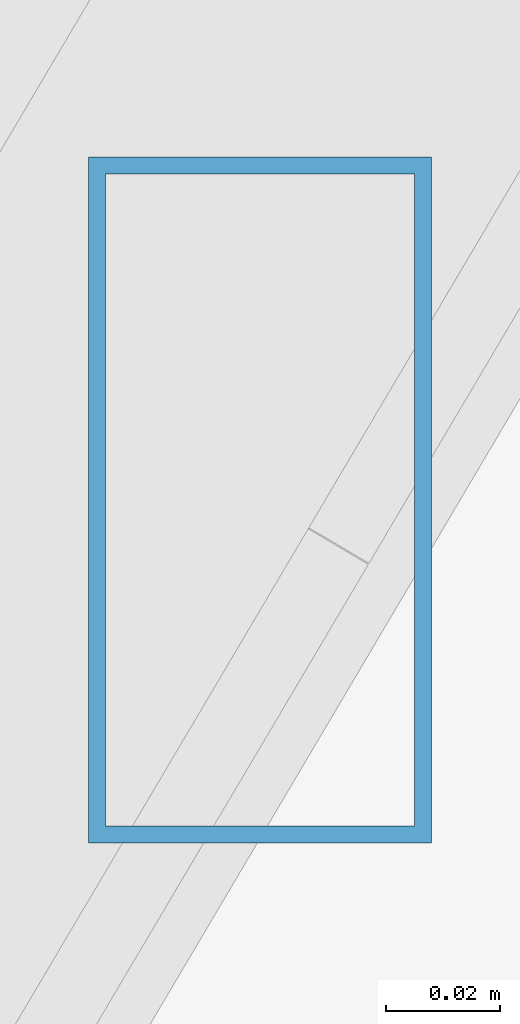
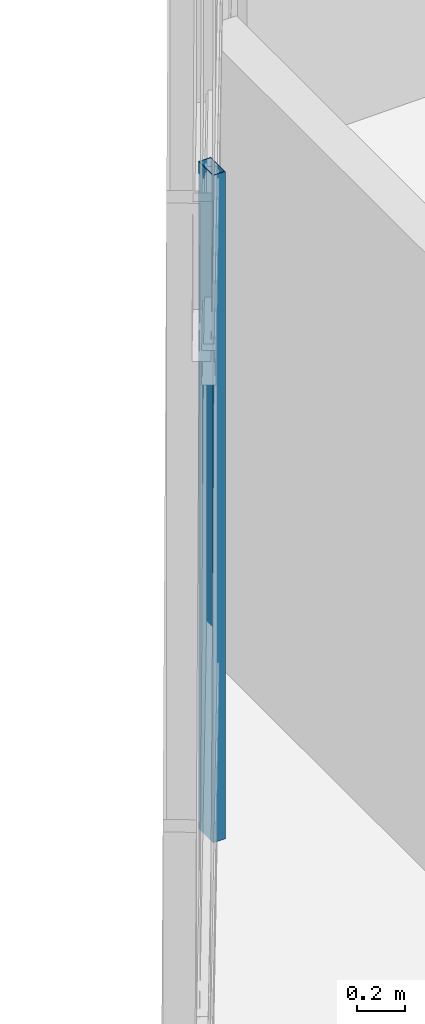
# One storey, part 38 of 50: 1 member, 1 element without a shape of its own.
"""IFC4 building model written with IfcOpenShell, lengths in metres."""

import ifcopenshell
import ifcopenshell.guid

model = None  # the IFC model being written
_history = None  # IfcOwnerHistory: only IFC2X3 demands one
_inside = {}  # id of a spatial element -> (the spatial element, [elements in it])
_under = {}  # id of a project, library or spatial element -> (it, [spatial elements below it])
_declared = {}  # id of a project -> (the project, [libraries it declares])
_typed = {}  # id of a type object -> (the type object, [elements of that type])
_made_of = {}  # id of a material, layer set ... -> (it, [elements and type objects made of it])


def new_model(schema):
    """Start an empty IFC model of exactly this schema.

    Asked for "IFC4X3", IfcOpenShell would pick the latest addendum, in which some entities
    have other attributes; the version numbers below select the first issue.
    IFC2X3 requires an IfcOwnerHistory on every rooted entity: one is made here for all.
    """
    global model, _history
    if schema == "IFC4X3":
        model = ifcopenshell.file(schema_version=(4, 3, 0, 0))
    else:
        model = ifcopenshell.file(schema=schema)
    _inside.clear()
    _under.clear()
    _declared.clear()
    _typed.clear()
    _made_of.clear()
    _history = None
    if model.schema == "IFC2X3":
        org = make("IfcOrganization", Name="unknown")
        user = make(
            "IfcPersonAndOrganization",
            ThePerson=make("IfcPerson", FamilyName="unknown"),
            TheOrganization=org,
        )
        app = make(
            "IfcApplication",
            ApplicationDeveloper=org,
            Version="unknown",
            ApplicationFullName="unknown",
            ApplicationIdentifier="unknown",
        )
        _history = make(
            "IfcOwnerHistory",
            OwningUser=user,
            OwningApplication=app,
            ChangeAction="ADDED",
            CreationDate=0,
        )
    return model


def make(cls, **values):
    """One entity of the class cls with the attributes given. An attribute that is None is left unset."""
    return model.create_entity(
        cls, **{name: value for name, value in values.items() if value is not None}
    )


def rooted(cls, **values):
    """An entity with a GlobalId (a new one), such as an element, a storey or a relation."""
    return make(cls, GlobalId=ifcopenshell.guid.new(), OwnerHistory=_history, **values)


def si_unit(unit_type, name, prefix=None):
    """IfcSIUnit, for example si_unit("LENGTHUNIT", "METRE", prefix="MILLI")."""
    return make("IfcSIUnit", UnitType=unit_type, Prefix=prefix, Name=name)


def assignment(units):
    """IfcUnitAssignment: the units of a project."""
    return None if units is None else make("IfcUnitAssignment", Units=units)


def point(xyz):
    """IfcCartesianPoint."""
    return None if xyz is None else make("IfcCartesianPoint", Coordinates=xyz)


def direction(xyz):
    """IfcDirection."""
    return None if xyz is None else make("IfcDirection", DirectionRatios=xyz)


def frame(location, z_axis=None, x_axis=None):
    """IfcAxis2Placement3D, a coordinate frame: its origin and axes. An axis left out is left unset."""
    return make(
        "IfcAxis2Placement3D",
        Location=point(location),
        Axis=direction(z_axis),
        RefDirection=direction(x_axis),
    )


def frame_2d(location, x_axis=None):
    """IfcAxis2Placement2D, a coordinate frame in the plane: its origin and x axis."""
    return make(
        "IfcAxis2Placement2D", Location=point(location), RefDirection=direction(x_axis)
    )


def origin():
    """The frame at (0, 0, 0) with its axes left unset."""
    return frame((0.0, 0.0, 0.0))


def origin_2d():
    """The frame at (0, 0) in the plane with its x axis left unset."""
    return frame_2d((0.0, 0.0))


def place(relative_to, where):
    """IfcLocalPlacement: puts the frame where relative to a parent placement (None: the world)."""
    return make(
        "IfcLocalPlacement", PlacementRelTo=relative_to, RelativePlacement=where
    )


def context(
    kind, dimensions, precision=None, world=None, true_north=None, identifier=None
):
    """IfcGeometricRepresentationContext, for example the 3D "Model" context."""
    return make(
        "IfcGeometricRepresentationContext",
        ContextIdentifier=identifier,
        ContextType=kind,
        CoordinateSpaceDimension=dimensions,
        Precision=precision,
        WorldCoordinateSystem=world,
        TrueNorth=true_north,
    )


def subcontext(parent, identifier, kind, view, scale=None):
    """IfcGeometricRepresentationSubContext, for example "Body" below "Model"."""
    return make(
        "IfcGeometricRepresentationSubContext",
        ContextIdentifier=identifier,
        ContextType=kind,
        ParentContext=parent,
        TargetScale=scale,
        TargetView=view,
    )


def project(units=None, contexts=None):
    """IfcProject with its units and contexts."""
    return rooted(
        "IfcProject",
        Name="project",
        RepresentationContexts=contexts,
        UnitsInContext=assignment(units),
    )


def spatial(cls, under=None, at=None, **own):
    """A site, building, storey or space (cls), placed at a placement, below another one or the project."""
    s = rooted(cls, ObjectPlacement=at, **own)
    if under is not None:
        _under.setdefault(under.id(), (under, []))[1].append(s)
    return s


def profile(cls, at=None, kind="AREA", **sizes):
    """A parametric profile (cls). Its sizes go by their IFC names, for example OverallWidth=200.0."""
    return make(cls, ProfileType=kind, Position=at, **sizes)


def hollow_rectangle(**sizes):
    """IfcRectangleHollowProfileDef."""
    return profile("IfcRectangleHollowProfileDef", **sizes)


def extrude(swept, where, along, depth):
    """IfcExtrudedAreaSolid: the profile swept, set in the frame where, extruded along a direction by depth."""
    return make(
        "IfcExtrudedAreaSolid",
        SweptArea=swept,
        Position=where,
        ExtrudedDirection=direction(along),
        Depth=depth,
    )


def shape(context_of_items, identifier, shape_type, items):
    """IfcShapeRepresentation: the items that make up one representation, for example the "Body"."""
    return make(
        "IfcShapeRepresentation",
        ContextOfItems=context_of_items,
        RepresentationIdentifier=identifier,
        RepresentationType=shape_type,
        Items=items,
    )


def source(mapping_origin, context_of_items, identifier, shape_type, items):
    """IfcRepresentationMap: a shape defined once, which mapped items show again and again."""
    return make(
        "IfcRepresentationMap",
        MappingOrigin=mapping_origin,
        MappedRepresentation=shape(context_of_items, identifier, shape_type, items),
    )


def transform(
    local_origin,
    x_axis=None,
    y_axis=None,
    z_axis=None,
    scale=None,
    scale2=None,
    scale3=None,
    uniform=True,
):
    """IfcCartesianTransformationOperator3D, or its non-uniform kind. x_axis, y_axis, z_axis: its Axis1, 2, 3."""
    if uniform:
        return make(
            "IfcCartesianTransformationOperator3D",
            Axis1=direction(x_axis),
            Axis2=direction(y_axis),
            LocalOrigin=point(local_origin),
            Scale=scale,
            Axis3=direction(z_axis),
        )
    return make(
        "IfcCartesianTransformationOperator3DnonUniform",
        Axis1=direction(x_axis),
        Axis2=direction(y_axis),
        LocalOrigin=point(local_origin),
        Scale=scale,
        Axis3=direction(z_axis),
        Scale2=scale2,
        Scale3=scale3,
    )


def mapped(mapping_source, mapping_target):
    """IfcMappedItem: shows the shape of a source again, moved by a transform."""
    return make(
        "IfcMappedItem", MappingSource=mapping_source, MappingTarget=mapping_target
    )


def material(Name=None, Category=None):
    """IfcMaterial."""
    return make("IfcMaterial", Name=Name, Category=Category)


def material_profile(
    of_material, cross_section, Name=None, Category=None, Priority=None
):
    """IfcMaterialProfile: a cross section and its material."""
    return make(
        "IfcMaterialProfile",
        Name=Name,
        Material=of_material,
        Profile=cross_section,
        Priority=Priority,
        Category=Category,
    )


def profile_set(profiles, Name=None, composite=None):
    """IfcMaterialProfileSet."""
    return make(
        "IfcMaterialProfileSet",
        Name=Name,
        MaterialProfiles=profiles,
        CompositeProfile=composite,
    )


def made_of(thing, what):
    """Note that an element or type object is made of a material, layer set ...; save() writes the relation."""
    if what is not None:
        _made_of.setdefault(what.id(), (what, []))[1].append(thing)
    return thing


def type_object(cls, material=None, **own):
    """A type object (cls), such as IfcWallType, which elements share."""
    return made_of(rooted(cls, **own), material)


def type_shapes(of_type, sources):
    """Give a type object the sources (RepresentationMaps) that its elements show as mapped items."""
    of_type.RepresentationMaps = sources


def element(
    cls,
    number,
    at=None,
    inside=None,
    cuts=None,
    type_object=None,
    material=None,
    context=None,
    identifier="Body",
    shape_type=None,
    held_by="IfcProductDefinitionShape",
    body=None,
    shapes=None,
    **own,
):
    """One element of the class cls, such as IfcWall. Its Tag is "e" and its number.

    at: its placement. inside: the storey or other place that contains it. cuts: it is an
    opening in that element (IfcRelVoidsElement). A single representation is given by context,
    identifier, shape_type and body (its items); several are given by shapes. held_by: the class
    of the entity that holds the representations. save() writes the other relations.
    """
    e = rooted(cls, Tag="e%d" % number, ObjectPlacement=at, **own)
    if body is not None:
        shapes = [shape(context, identifier, shape_type, body)]
    if shapes is not None:
        e.Representation = make(held_by, Representations=shapes)
    if inside is not None:
        _inside.setdefault(inside.id(), (inside, []))[1].append(e)
    if cuts is not None:
        rooted(
            "IfcRelVoidsElement", RelatingBuildingElement=cuts, RelatedOpeningElement=e
        )
    if type_object is not None:
        _typed.setdefault(type_object.id(), (type_object, []))[1].append(e)
    return made_of(e, material)


def aggregate(whole, parts):
    """IfcRelAggregates: a whole, such as a stair, and the parts it consists of."""
    return rooted("IfcRelAggregates", RelatingObject=whole, RelatedObjects=parts)


def save(model, path):
    """Write the relations noted so far, then the file.

    IfcRelAggregates (storeys below a building ...), IfcRelContainedInSpatialStructure (elements
    in a storey), IfcRelDefinesByType, IfcRelAssociatesMaterial and IfcRelDeclares: one each for
    every whole, place, type object, material and project.
    """
    for whole, parts in _under.values():
        aggregate(whole, parts)
    for where, things in _inside.values():
        rooted(
            "IfcRelContainedInSpatialStructure",
            RelatedElements=things,
            RelatingStructure=where,
        )
    for kind, things in _typed.values():
        rooted("IfcRelDefinesByType", RelatedObjects=things, RelatingType=kind)
    for what, things in _made_of.values():
        rooted("IfcRelAssociatesMaterial", RelatedObjects=things, RelatingMaterial=what)
    for by, libraries in _declared.values():
        rooted("IfcRelDeclares", RelatingContext=by, RelatedDefinitions=libraries)
    model.write(path)


model = new_model("IFC4")

# Units and contexts
model_context = context("Model", 3, precision=1e-05, world=origin(), true_north=direction((0.0, 1.0)))
body_context = subcontext(model_context, "Body", "Model", "MODEL_VIEW")
ifc_project = project(units=[si_unit("LENGTHUNIT", "METRE"), si_unit("AREAUNIT", "SQUARE_METRE"), si_unit("VOLUMEUNIT", "CUBIC_METRE"), si_unit("PLANEANGLEUNIT", "RADIAN"), si_unit("MASSUNIT", "GRAM", prefix="KILO")], contexts=[model_context])

# Site, building, storey
site_placement = place(None, origin())
site = spatial("IfcSite", under=ifc_project, at=site_placement, CompositionType="ELEMENT")
building_placement = place(site_placement, origin())
building = spatial("IfcBuilding", under=site, at=building_placement, Name="Caelisora Broadcast Tower", CompositionType="ELEMENT")
storey_placement = place(building_placement, frame((0.0, 0.0, 303.39990234375)))
storey = spatial("IfcBuildingStorey", under=building, at=storey_placement, Name="L80", CompositionType="ELEMENT", Elevation=303.39990234375)

# Curtain wall, member
ifc_material_1 = material(Name="Unitised Aluminium Insulated Shadow-Box Spandrel Curtain Wall", Category="aluminium")
curtain_wall_type = type_object("IfcCurtainWallType", Name="CW-SP3", PredefinedType="NOTDEFINED", material=ifc_material_1)
curtain_wall_placement = place(storey_placement, origin())
curtain_wall = element("IfcCurtainWall", 1, at=curtain_wall_placement, inside=storey, type_object=curtain_wall_type, Name="L80 curtain wall CW-SP3", PredefinedType="NOTDEFINED")
ifc_material_2 = material(Name="Aluminium 6063-T6 Anodised Terracotta Bronze", Category="aluminium")
ifc_material_profile = material_profile(ifc_material_2, hollow_rectangle(XDim=0.06005859375, YDim=0.1201171875, WallThickness=0.0029296875, at=origin_2d()), Name="Aluminium 6063-T6 Anodised Terracotta Bronze")
ifc_profile_set = profile_set([ifc_material_profile], Name="Aluminium 6063-T6 Anodised Terracotta Bronze")
member_type = type_object("IfcMemberType", Name="CWM-04", PredefinedType="MULLION", material=ifc_profile_set)
shared_shape = source(origin(), body_context, "Body", "SweptSolid", [
    extrude(hollow_rectangle(XDim=0.06005859375, YDim=0.1201171875, WallThickness=0.0029296875, at=origin_2d()), origin(), (0.0, 0.0, 1.0), 3.400146484375),
])
type_shapes(member_type, [shared_shape])
member_placement = place(storey_placement, frame((33.77490234375, 46.87255859375, 0.0), z_axis=(0.0, 0.0, 1.0), x_axis=(1.0, 0.0, 0.0)))
member = element("IfcMember", 2, at=member_placement, type_object=member_type, Name="L80-CW-B11 mullion #2", PredefinedType="MULLION", context=body_context, shape_type="MappedRepresentation", body=[
    mapped(shared_shape, transform((0.0, 0.0, 0.0), scale=1.0)),
])
aggregate(curtain_wall, [member])

save(model, "model.ifc")
